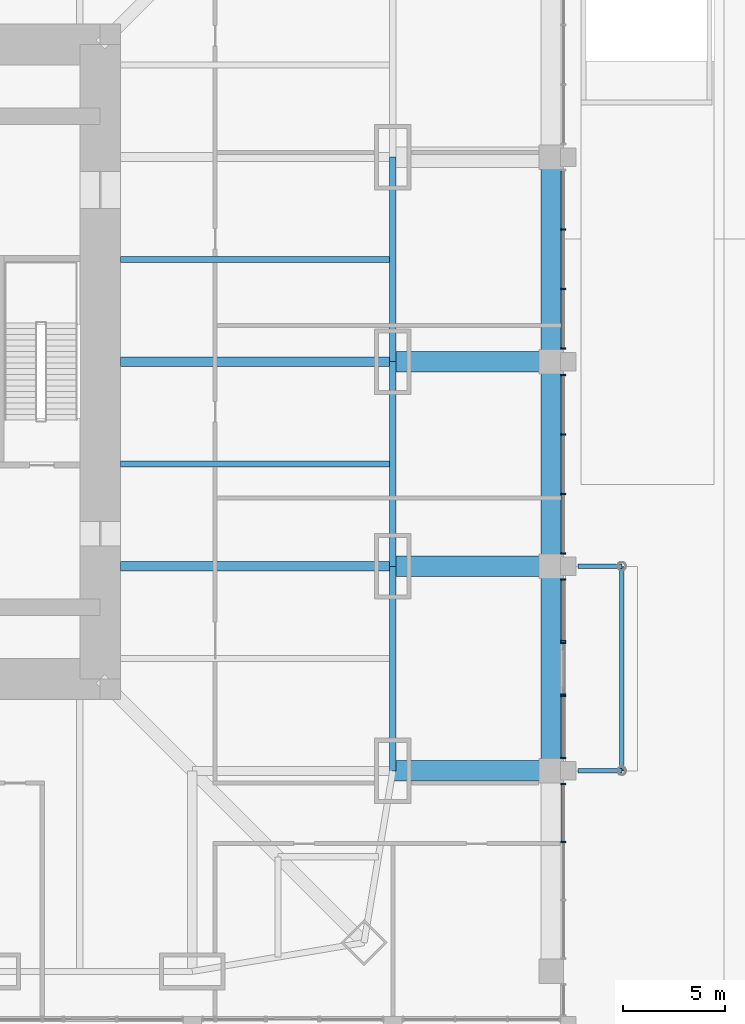
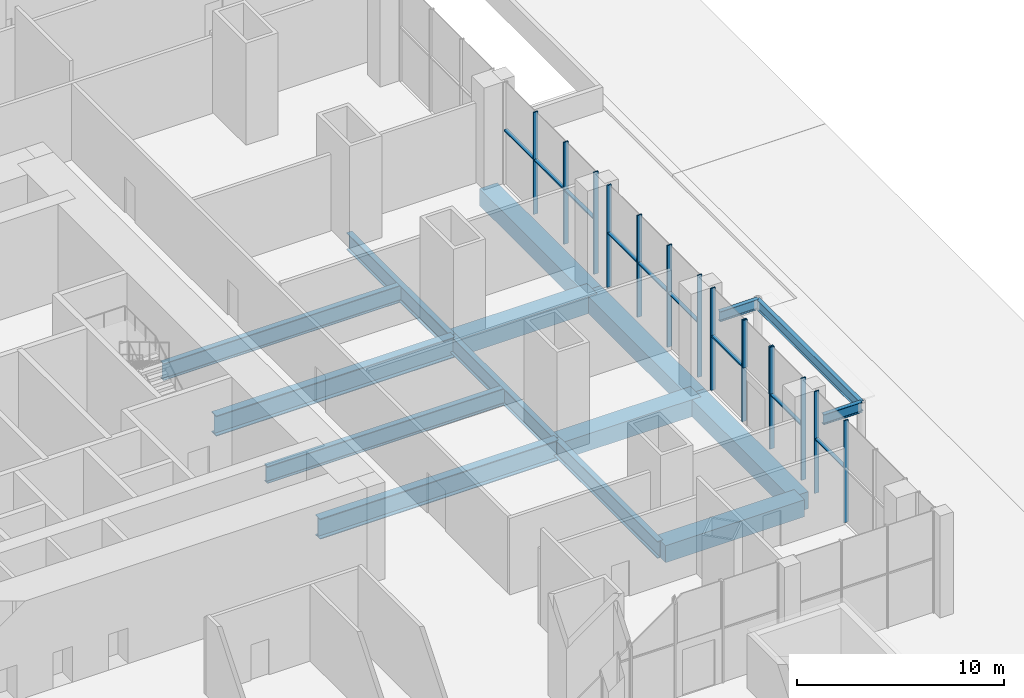
# One storey, part 10 of 31: 24 members, 16 beams, 6 elements without a shape of their own.
"""IFC4 building model written with IfcOpenShell, lengths in metres."""

from ifc_helpers import new_model, si_unit, direction, frame, origin, origin_2d, place, context, subcontext, project, spatial, rectangle, i_section, extrude, material, material_profile, profile_set, type_object, element, aggregate, save


model = new_model("IFC4")

# Units and contexts
model_context = context("Model", 3, precision=1e-05, world=origin(), true_north=direction((0.0, 1.0)))
body_context = subcontext(model_context, "Body", "Model", "MODEL_VIEW")
ifc_project = project(units=[si_unit("LENGTHUNIT", "METRE"), si_unit("AREAUNIT", "SQUARE_METRE"), si_unit("VOLUMEUNIT", "CUBIC_METRE"), si_unit("PLANEANGLEUNIT", "RADIAN"), si_unit("MASSUNIT", "GRAM", prefix="KILO")], contexts=[model_context])

# Site, building, storey
site_placement = place(None, origin())
site = spatial("IfcSite", under=ifc_project, at=site_placement, CompositionType="ELEMENT")
building_placement = place(site_placement, origin())
building = spatial("IfcBuilding", under=site, at=building_placement, Name="Khuree Lantern Residences", CompositionType="ELEMENT")
storey_placement = place(building_placement, origin())
storey = spatial("IfcBuildingStorey", under=building, at=storey_placement, Name="L00", CompositionType="ELEMENT", Elevation=0.0)

# Beams
ifc_material_1 = material(Name="Steel S355", Category="steel")
ifc_material_profile_1 = material_profile(ifc_material_1, i_section(OverallWidth=0.300048828125, OverallDepth=1.0, WebThickness=0.01904296875, FlangeThickness=0.035888671875, FilletRadius=0.030029296875, at=origin_2d()), Name="HE 1000 B")
ifc_profile_set_1 = profile_set([ifc_material_profile_1], Name="Steel S355")
beam_type_1 = type_object("IfcBeamType", Name="B-00 SECONDARY BEAM HE 1000 B", PredefinedType="BEAM", material=ifc_profile_set_1)
for number, where, z_axis, x_axis, name in (
    (1, (29.800048828125, 5.0, -0.800048828125), (-1.0, 0.0, 0.0), (0.0, -1.0, 0.0), "Secondary beam E3"),
    (2, (29.800048828125, -5.0, -0.800048828125), (-1.0, 0.0, 0.0), (0.0, -1.0, 0.0), "Secondary beam E4"),
):
    element("IfcBeam", number, at=place(storey_placement, frame(where, z_axis=z_axis, x_axis=x_axis)), inside=storey, type_object=beam_type_1, Name=name, PredefinedType="BEAM", context=body_context, shape_type="SweptSolid", body=[
        extrude(i_section(OverallWidth=0.300048828125, OverallDepth=1.0, WebThickness=0.01904296875, FlangeThickness=0.035888671875, FilletRadius=0.030029296875, at=origin_2d()), origin(), (0.0, 0.0, 1.0), 13.300048828125),
    ])
ifc_material_profile_2 = material_profile(ifc_material_1, i_section(OverallWidth=0.219970703125, OverallDepth=0.60009765625, WebThickness=0.011962890625, FlangeThickness=0.01904296875, FilletRadius=0.02392578125, at=origin_2d()), Name="IPE 600")
ifc_profile_set_2 = profile_set([ifc_material_profile_2], Name="Steel S355")
beam_type_2 = type_object("IfcBeamType", Name="CB1 CANOPY BEAM IPE 600", PredefinedType="BEAM", material=ifc_profile_set_2)
for number, where, z_axis, x_axis, name in (
    (3, (41.0, -20.0, 3.699951171875), (-1.0, 0.0, 0.0), (0.0, -1.0, 0.0), "EAST FACE CANOPY ARM 1"),
    (4, (41.0, -10.0, 3.699951171875), (-1.0, 0.0, 0.0), (0.0, -1.0, 0.0), "EAST FACE CANOPY ARM 2"),
):
    element("IfcBeam", number, at=place(storey_placement, frame(where, z_axis=z_axis, x_axis=x_axis)), inside=storey, type_object=beam_type_2, Name=name, PredefinedType="BEAM", context=body_context, shape_type="SweptSolid", body=[
        extrude(i_section(OverallWidth=0.219970703125, OverallDepth=0.60009765625, WebThickness=0.011962890625, FlangeThickness=0.01904296875, FilletRadius=0.02392578125, at=origin_2d()), origin(), (0.0, 0.0, 1.0), 2.14990234375),
    ])
beam_placement = place(storey_placement, frame((41.0, -20.0, 3.699951171875), z_axis=(0.0, 1.0, 0.0), x_axis=(-1.0, 0.0, 0.0)))
element("IfcBeam", 5, at=beam_placement, inside=storey, type_object=beam_type_2, Name="EAST FACE BAY 2 CANOPY FRONT BEAM", PredefinedType="BEAM", context=body_context, shape_type="SweptSolid", body=[
    extrude(i_section(OverallWidth=0.219970703125, OverallDepth=0.60009765625, WebThickness=0.011962890625, FlangeThickness=0.01904296875, FilletRadius=0.02392578125, at=origin_2d()), origin(), (0.0, 0.0, 1.0), 10.0),
])
ifc_material_profile_3 = material_profile(ifc_material_1, i_section(OverallWidth=0.300048828125, OverallDepth=1.0, WebThickness=0.01904296875, FlangeThickness=0.035888671875, FilletRadius=0.030029296875, at=origin_2d()), Name="HE 1000 B")
ifc_profile_set_3 = profile_set([ifc_material_profile_3], Name="Steel S355")
beam_type_3 = type_object("IfcBeamType", Name="E-00 SPANDREL BEAM HE 1000 B", PredefinedType="SPANDREL", material=ifc_profile_set_3)
for number, where, z_axis, x_axis, name in (
    (6, (29.800048828125, 10.0, -0.800048828125), (0.0, -1.0, 0.0), (1.0, 0.0, 0.0), "Spandrel beam E3"),
    (7, (29.800048828125, 0.0, -0.800048828125), (0.0, -1.0, 0.0), (1.0, 0.0, 0.0), "Spandrel beam E4"),
    (8, (29.800048828125, -10.0, -0.800048828125), (0.0, -1.0, 0.0), (1.0, 0.0, 0.0), "Spandrel beam E5"),
):
    element("IfcBeam", number, at=place(storey_placement, frame(where, z_axis=z_axis, x_axis=x_axis)), inside=storey, type_object=beam_type_3, Name=name, PredefinedType="SPANDREL", context=body_context, shape_type="SweptSolid", body=[
        extrude(i_section(OverallWidth=0.300048828125, OverallDepth=1.0, WebThickness=0.01904296875, FlangeThickness=0.035888671875, FilletRadius=0.030029296875, at=origin_2d()), origin(), (0.0, 0.0, 1.0), 10.0),
    ])
ifc_material_profile_4 = material_profile(ifc_material_1, i_section(OverallWidth=0.449951171875, OverallDepth=1.199951171875, WebThickness=0.02490234375, FlangeThickness=0.044921875, at=origin_2d()), Name="WELDED I 1200X450X25X45")
ifc_profile_set_4 = profile_set([ifc_material_profile_4], Name="Steel S355")
beam_type_4 = type_object("IfcBeamType", Name="G-00 GIRDER WELDED I 1200X450X25X45", PredefinedType="BEAM", material=ifc_profile_set_4)
for number, where, z_axis, x_axis, name in (
    (9, (29.800048828125, 0.0, -0.89990234375), (-1.0, 0.0, 0.0), (0.0, -1.0, 0.0), "Girder E3"),
    (10, (29.800048828125, -10.0, -0.89990234375), (-1.0, 0.0, 0.0), (0.0, -1.0, 0.0), "Girder E4"),
):
    element("IfcBeam", number, at=place(storey_placement, frame(where, z_axis=z_axis, x_axis=x_axis)), inside=storey, type_object=beam_type_4, Name=name, PredefinedType="BEAM", context=body_context, shape_type="SweptSolid", body=[
        extrude(i_section(OverallWidth=0.449951171875, OverallDepth=1.199951171875, WebThickness=0.02490234375, FlangeThickness=0.044921875, at=origin_2d()), origin(), (0.0, 0.0, 1.0), 13.300048828125),
    ])

# Curtain wall, members
ifc_material_2 = material(Name="Bronze anodised aluminium", Category="aluminium")
curtain_wall_type = type_object("IfcCurtainWallType", Name="CW-P PODIUM STOREFRONT CURTAIN WALL", PredefinedType="USERDEFINED", material=ifc_material_2)
curtain_wall_1_placement = place(storey_placement, origin())
curtain_wall_1 = element("IfcCurtainWall", 11, at=curtain_wall_1_placement, inside=storey, type_object=curtain_wall_type, Name="L00 EAST FACE BAY 1B STOREFRONT", ObjectType="Storefront curtain wall", PredefinedType="USERDEFINED")
ifc_material_profile_5 = material_profile(ifc_material_2, rectangle(XDim=0.074951171875, YDim=0.25, at=origin_2d()), Name="M5 75X250")
ifc_profile_set_5 = profile_set([ifc_material_profile_5], Name="Bronze anodised aluminium")
member_type_1 = type_object("IfcMemberType", Name="MULLION M5 STOREFRONT 75X250", PredefinedType="MULLION", material=ifc_profile_set_5)
member_1_placement = place(storey_placement, frame((38.125, -23.479248046875, 0.0), z_axis=(0.0, 0.0, 1.0), x_axis=(0.0, 1.0, 0.0)))
member_1 = element("IfcMember", 12, at=member_1_placement, type_object=member_type_1, Name="L00 EAST FACE BAY 1B MULLION 3", PredefinedType="MULLION", context=body_context, shape_type="SweptSolid", body=[
    extrude(rectangle(XDim=0.074951171875, YDim=0.25, at=origin_2d()), origin(), (0.0, 0.0, 1.0), 6.0),
])
member_2_placement = place(storey_placement, frame((38.125, -20.637451171875, 0.0), z_axis=(0.0, 0.0, 1.0), x_axis=(0.0, 1.0, 0.0)))
member_2 = element("IfcMember", 13, at=member_2_placement, type_object=member_type_1, Name="L00 EAST FACE BAY 1B MULLION 4", PredefinedType="MULLION", context=body_context, shape_type="SweptSolid", body=[
    extrude(rectangle(XDim=0.074951171875, YDim=0.25, at=origin_2d()), origin(), (0.0, 0.0, 1.0), 6.0),
])

curtain_wall_2_placement = place(storey_placement, origin())
curtain_wall_2 = element("IfcCurtainWall", 14, at=curtain_wall_2_placement, inside=storey, type_object=curtain_wall_type, Name="L00 EAST FACE BAY 2 LEFT STOREFRONT", ObjectType="Storefront curtain wall", PredefinedType="USERDEFINED")
member_3_placement = place(storey_placement, frame((38.125, -19.362548828125, 0.0), z_axis=(0.0, 0.0, 1.0), x_axis=(0.0, 1.0, 0.0)))
member_3 = element("IfcMember", 15, at=member_3_placement, type_object=member_type_1, Name="L00 EAST FACE BAY 2 LEFT MULLION 1", PredefinedType="MULLION", context=body_context, shape_type="SweptSolid", body=[
    extrude(rectangle(XDim=0.074951171875, YDim=0.25, at=origin_2d()), origin(), (0.0, 0.0, 1.0), 6.0),
])
member_4_placement = place(storey_placement, frame((38.125, -16.33740234375, 0.0), z_axis=(0.0, 0.0, 1.0), x_axis=(0.0, 1.0, 0.0)))
member_4 = element("IfcMember", 16, at=member_4_placement, type_object=member_type_1, Name="L00 EAST FACE BAY 2 LEFT MULLION 2", PredefinedType="MULLION", context=body_context, shape_type="SweptSolid", body=[
    extrude(rectangle(XDim=0.074951171875, YDim=0.25, at=origin_2d()), origin(), (0.0, 0.0, 1.0), 6.0),
])

curtain_wall_3_placement = place(storey_placement, origin())
curtain_wall_3 = element("IfcCurtainWall", 17, at=curtain_wall_3_placement, inside=storey, type_object=curtain_wall_type, Name="L00 EAST FACE BAY 2 RIGHT STOREFRONT", ObjectType="Storefront curtain wall", PredefinedType="USERDEFINED")
member_5_placement = place(storey_placement, frame((38.125, -13.66259765625, 0.0), z_axis=(0.0, 0.0, 1.0), x_axis=(0.0, 1.0, 0.0)))
member_5 = element("IfcMember", 18, at=member_5_placement, type_object=member_type_1, Name="L00 EAST FACE BAY 2 RIGHT MULLION 1", PredefinedType="MULLION", context=body_context, shape_type="SweptSolid", body=[
    extrude(rectangle(XDim=0.074951171875, YDim=0.25, at=origin_2d()), origin(), (0.0, 0.0, 1.0), 6.0),
])
member_6_placement = place(storey_placement, frame((38.125, -10.637451171875, 0.0), z_axis=(0.0, 0.0, 1.0), x_axis=(0.0, 1.0, 0.0)))
member_6 = element("IfcMember", 19, at=member_6_placement, type_object=member_type_1, Name="L00 EAST FACE BAY 2 RIGHT MULLION 2", PredefinedType="MULLION", context=body_context, shape_type="SweptSolid", body=[
    extrude(rectangle(XDim=0.074951171875, YDim=0.25, at=origin_2d()), origin(), (0.0, 0.0, 1.0), 6.0),
])

curtain_wall_4_placement = place(storey_placement, origin())
curtain_wall_4 = element("IfcCurtainWall", 20, at=curtain_wall_4_placement, inside=storey, type_object=curtain_wall_type, Name="L00 EAST FACE BAY 2 CLERESTORY STOREFRONT", ObjectType="Storefront curtain wall", PredefinedType="USERDEFINED")
member_7_placement = place(storey_placement, frame((38.125, -16.262451171875, 3.199951171875), z_axis=(0.0, 0.0, 1.0), x_axis=(0.0, 1.0, 0.0)))
member_7 = element("IfcMember", 21, at=member_7_placement, type_object=member_type_1, Name="L00 EAST FACE BAY 2 CLERESTORY MULLION 1", PredefinedType="MULLION", context=body_context, shape_type="SweptSolid", body=[
    extrude(rectangle(XDim=0.074951171875, YDim=0.25, at=origin_2d()), origin(), (0.0, 0.0, 1.0), 2.800048828125),
])
member_8_placement = place(storey_placement, frame((38.125, -13.737548828125, 3.199951171875), z_axis=(0.0, 0.0, 1.0), x_axis=(0.0, 1.0, 0.0)))
member_8 = element("IfcMember", 22, at=member_8_placement, type_object=member_type_1, Name="L00 EAST FACE BAY 2 CLERESTORY MULLION 2", PredefinedType="MULLION", context=body_context, shape_type="SweptSolid", body=[
    extrude(rectangle(XDim=0.074951171875, YDim=0.25, at=origin_2d()), origin(), (0.0, 0.0, 1.0), 2.800048828125),
])
aggregate(curtain_wall_4, [member_7, member_8])

curtain_wall_5_placement = place(storey_placement, origin())
curtain_wall_5 = element("IfcCurtainWall", 23, at=curtain_wall_5_placement, inside=storey, type_object=curtain_wall_type, Name="L00 EAST FACE BAY 3 STOREFRONT", ObjectType="Storefront curtain wall", PredefinedType="USERDEFINED")
member_9_placement = place(storey_placement, frame((38.125, -9.362548828125, 0.0), z_axis=(0.0, 0.0, 1.0), x_axis=(0.0, 1.0, 0.0)))
member_9 = element("IfcMember", 24, at=member_9_placement, type_object=member_type_1, Name="L00 EAST FACE BAY 3 MULLION 1", PredefinedType="MULLION", context=body_context, shape_type="SweptSolid", body=[
    extrude(rectangle(XDim=0.074951171875, YDim=0.25, at=origin_2d()), origin(), (0.0, 0.0, 1.0), 6.0),
])
member_10_placement = place(storey_placement, frame((38.125, -6.4541015625, 0.0), z_axis=(0.0, 0.0, 1.0), x_axis=(0.0, 1.0, 0.0)))
member_10 = element("IfcMember", 25, at=member_10_placement, type_object=member_type_1, Name="L00 EAST FACE BAY 3 MULLION 2", PredefinedType="MULLION", context=body_context, shape_type="SweptSolid", body=[
    extrude(rectangle(XDim=0.074951171875, YDim=0.25, at=origin_2d()), origin(), (0.0, 0.0, 1.0), 6.0),
])
member_11_placement = place(storey_placement, frame((38.125, -3.5458984375, 0.0), z_axis=(0.0, 0.0, 1.0), x_axis=(0.0, 1.0, 0.0)))
member_11 = element("IfcMember", 26, at=member_11_placement, type_object=member_type_1, Name="L00 EAST FACE BAY 3 MULLION 3", PredefinedType="MULLION", context=body_context, shape_type="SweptSolid", body=[
    extrude(rectangle(XDim=0.074951171875, YDim=0.25, at=origin_2d()), origin(), (0.0, 0.0, 1.0), 6.0),
])
member_12_placement = place(storey_placement, frame((38.125, -0.637451171875, 0.0), z_axis=(0.0, 0.0, 1.0), x_axis=(0.0, 1.0, 0.0)))
member_12 = element("IfcMember", 27, at=member_12_placement, type_object=member_type_1, Name="L00 EAST FACE BAY 3 MULLION 4", PredefinedType="MULLION", context=body_context, shape_type="SweptSolid", body=[
    extrude(rectangle(XDim=0.074951171875, YDim=0.25, at=origin_2d()), origin(), (0.0, 0.0, 1.0), 6.0),
])

curtain_wall_6_placement = place(storey_placement, origin())
curtain_wall_6 = element("IfcCurtainWall", 28, at=curtain_wall_6_placement, inside=storey, type_object=curtain_wall_type, Name="L00 EAST FACE BAY 4 STOREFRONT", ObjectType="Storefront curtain wall", PredefinedType="USERDEFINED")
member_13_placement = place(storey_placement, frame((38.125, 0.637451171875, 0.0), z_axis=(0.0, 0.0, 1.0), x_axis=(0.0, 1.0, 0.0)))
member_13 = element("IfcMember", 29, at=member_13_placement, type_object=member_type_1, Name="L00 EAST FACE BAY 4 MULLION 1", PredefinedType="MULLION", context=body_context, shape_type="SweptSolid", body=[
    extrude(rectangle(XDim=0.074951171875, YDim=0.25, at=origin_2d()), origin(), (0.0, 0.0, 1.0), 6.0),
])
member_14_placement = place(storey_placement, frame((38.125, 3.5458984375, 0.0), z_axis=(0.0, 0.0, 1.0), x_axis=(0.0, 1.0, 0.0)))
member_14 = element("IfcMember", 30, at=member_14_placement, type_object=member_type_1, Name="L00 EAST FACE BAY 4 MULLION 2", PredefinedType="MULLION", context=body_context, shape_type="SweptSolid", body=[
    extrude(rectangle(XDim=0.074951171875, YDim=0.25, at=origin_2d()), origin(), (0.0, 0.0, 1.0), 6.0),
])
member_15_placement = place(storey_placement, frame((38.125, 6.4541015625, 0.0), z_axis=(0.0, 0.0, 1.0), x_axis=(0.0, 1.0, 0.0)))
member_15 = element("IfcMember", 31, at=member_15_placement, type_object=member_type_1, Name="L00 EAST FACE BAY 4 MULLION 3", PredefinedType="MULLION", context=body_context, shape_type="SweptSolid", body=[
    extrude(rectangle(XDim=0.074951171875, YDim=0.25, at=origin_2d()), origin(), (0.0, 0.0, 1.0), 6.0),
])

# Beams
ifc_material_3 = material(Name="Concrete C40/50", Category="concrete")
ifc_material_profile_6 = material_profile(ifc_material_3, rectangle(XDim=1.0, YDim=1.0, at=origin_2d()), Name="RC 1000X1000")
ifc_profile_set_6 = profile_set([ifc_material_profile_6], Name="Concrete C40/50")
beam_type_5 = type_object("IfcBeamType", Name="RB3 PODIUM BEAM RC 1000X1000", PredefinedType="BEAM", material=ifc_profile_set_6)
for number, where, z_axis, x_axis, name in (
    (32, (29.800048828125, -20.0, -0.800048828125), (1.0, 0.0, 0.0), (0.0, 1.0, 0.0), "Podium beam RB-21"),
    (33, (29.800048828125, -10.0, -0.800048828125), (1.0, 0.0, 0.0), (0.0, 1.0, 0.0), "Podium beam RB-25"),
    (34, (29.800048828125, 0.0, -0.800048828125), (1.0, 0.0, 0.0), (0.0, 1.0, 0.0), "Podium beam RB-29"),
):
    element("IfcBeam", number, at=place(storey_placement, frame(where, z_axis=z_axis, x_axis=x_axis)), inside=storey, type_object=beam_type_5, Name=name, PredefinedType="BEAM", context=body_context, shape_type="SweptSolid", body=[
        extrude(rectangle(XDim=1.0, YDim=1.0, at=origin_2d()), origin(), (0.0, 0.0, 1.0), 7.75),
    ])
for number, where, z_axis, x_axis, name in (
    (35, (37.550048828125, -20.0, -0.800048828125), (0.0, 1.0, 0.0), (-1.0, 0.0, 0.0), "Podium beam RB-105"),
    (36, (37.550048828125, -10.0, -0.800048828125), (0.0, 1.0, 0.0), (-1.0, 0.0, 0.0), "Podium beam RB-106"),
    (37, (37.550048828125, 0.0, -0.800048828125), (0.0, 1.0, 0.0), (-1.0, 0.0, 0.0), "Podium beam RB-107"),
):
    element("IfcBeam", number, at=place(storey_placement, frame(where, z_axis=z_axis, x_axis=x_axis)), inside=storey, type_object=beam_type_5, Name=name, PredefinedType="BEAM", context=body_context, shape_type="SweptSolid", body=[
        extrude(rectangle(XDim=1.0, YDim=1.0, at=origin_2d()), origin(), (0.0, 0.0, 1.0), 10.0),
    ])

# Member
ifc_material_profile_7 = material_profile(ifc_material_2, rectangle(XDim=0.199951171875, YDim=0.074951171875, at=origin_2d()), Name="T5 200X75")
ifc_profile_set_7 = profile_set([ifc_material_profile_7], Name="Bronze anodised aluminium")
member_type_2 = type_object("IfcMemberType", Name="TRANSOM T5 STOREFRONT 200X75", PredefinedType="USERDEFINED", material=ifc_profile_set_7)
member_16_placement = place(storey_placement, frame((38.1201171875, -23.441650390625, 3.199951171875), z_axis=(0.0, 1.0, 0.0), x_axis=(-1.0, 0.0, 0.0)))
member_16 = element("IfcMember", 38, at=member_16_placement, type_object=member_type_2, Name="L00 EAST FACE BAY 1B TRANSOM 3", ObjectType="Transom", PredefinedType="USERDEFINED", context=body_context, shape_type="SweptSolid", body=[
    extrude(rectangle(XDim=0.199951171875, YDim=0.074951171875, at=origin_2d()), origin(), (0.0, 0.0, 1.0), 2.7666015625),
])

aggregate(curtain_wall_1, [member_1, member_2, member_16])

member_17_placement = place(storey_placement, frame((38.1201171875, -19.324951171875, 3.199951171875), z_axis=(0.0, 1.0, 0.0), x_axis=(-1.0, 0.0, 0.0)))
member_17 = element("IfcMember", 39, at=member_17_placement, type_object=member_type_2, Name="L00 EAST FACE BAY 2 LEFT TRANSOM 1", ObjectType="Transom", PredefinedType="USERDEFINED", context=body_context, shape_type="SweptSolid", body=[
    extrude(rectangle(XDim=0.199951171875, YDim=0.074951171875, at=origin_2d()), origin(), (0.0, 0.0, 1.0), 2.949951171875),
])

aggregate(curtain_wall_2, [member_3, member_4, member_17])

member_18_placement = place(storey_placement, frame((38.1201171875, -13.625, 3.199951171875), z_axis=(0.0, 1.0, 0.0), x_axis=(-1.0, 0.0, 0.0)))
member_18 = element("IfcMember", 40, at=member_18_placement, type_object=member_type_2, Name="L00 EAST FACE BAY 2 RIGHT TRANSOM 1", ObjectType="Transom", PredefinedType="USERDEFINED", context=body_context, shape_type="SweptSolid", body=[
    extrude(rectangle(XDim=0.199951171875, YDim=0.074951171875, at=origin_2d()), origin(), (0.0, 0.0, 1.0), 2.949951171875),
])

aggregate(curtain_wall_3, [member_5, member_6, member_18])

member_19_placement = place(storey_placement, frame((38.1201171875, -9.324951171875, 3.199951171875), z_axis=(0.0, 1.0, 0.0), x_axis=(-1.0, 0.0, 0.0)))
member_19 = element("IfcMember", 41, at=member_19_placement, type_object=member_type_2, Name="L00 EAST FACE BAY 3 TRANSOM 1", ObjectType="Transom", PredefinedType="USERDEFINED", context=body_context, shape_type="SweptSolid", body=[
    extrude(rectangle(XDim=0.199951171875, YDim=0.074951171875, at=origin_2d()), origin(), (0.0, 0.0, 1.0), 2.833251953125),
])

member_20_placement = place(storey_placement, frame((38.1201171875, -6.416748046875, 3.199951171875), z_axis=(0.0, 1.0, 0.0), x_axis=(-1.0, 0.0, 0.0)))
member_20 = element("IfcMember", 42, at=member_20_placement, type_object=member_type_2, Name="L00 EAST FACE BAY 3 TRANSOM 2", ObjectType="Transom", PredefinedType="USERDEFINED", context=body_context, shape_type="SweptSolid", body=[
    extrude(rectangle(XDim=0.199951171875, YDim=0.074951171875, at=origin_2d()), origin(), (0.0, 0.0, 1.0), 2.83349609375),
])

member_21_placement = place(storey_placement, frame((38.1201171875, -3.50830078125, 3.199951171875), z_axis=(0.0, 1.0, 0.0), x_axis=(-1.0, 0.0, 0.0)))
member_21 = element("IfcMember", 43, at=member_21_placement, type_object=member_type_2, Name="L00 EAST FACE BAY 3 TRANSOM 3", ObjectType="Transom", PredefinedType="USERDEFINED", context=body_context, shape_type="SweptSolid", body=[
    extrude(rectangle(XDim=0.199951171875, YDim=0.074951171875, at=origin_2d()), origin(), (0.0, 0.0, 1.0), 2.833251953125),
])

aggregate(curtain_wall_5, [member_9, member_10, member_11, member_12, member_19, member_20, member_21])

member_22_placement = place(storey_placement, frame((38.1201171875, 0.675048828125, 3.199951171875), z_axis=(0.0, 1.0, 0.0), x_axis=(-1.0, 0.0, 0.0)))
member_22 = element("IfcMember", 44, at=member_22_placement, type_object=member_type_2, Name="L00 EAST FACE BAY 4 TRANSOM 1", ObjectType="Transom", PredefinedType="USERDEFINED", context=body_context, shape_type="SweptSolid", body=[
    extrude(rectangle(XDim=0.199951171875, YDim=0.074951171875, at=origin_2d()), origin(), (0.0, 0.0, 1.0), 2.833251953125),
])

member_23_placement = place(storey_placement, frame((38.1201171875, 3.583251953125, 3.199951171875), z_axis=(0.0, 1.0, 0.0), x_axis=(-1.0, 0.0, 0.0)))
member_23 = element("IfcMember", 45, at=member_23_placement, type_object=member_type_2, Name="L00 EAST FACE BAY 4 TRANSOM 2", ObjectType="Transom", PredefinedType="USERDEFINED", context=body_context, shape_type="SweptSolid", body=[
    extrude(rectangle(XDim=0.199951171875, YDim=0.074951171875, at=origin_2d()), origin(), (0.0, 0.0, 1.0), 2.83349609375),
])

member_24_placement = place(storey_placement, frame((38.1201171875, 6.49169921875, 3.199951171875), z_axis=(0.0, 1.0, 0.0), x_axis=(-1.0, 0.0, 0.0)))
member_24 = element("IfcMember", 46, at=member_24_placement, type_object=member_type_2, Name="L00 EAST FACE BAY 4 TRANSOM 3", ObjectType="Transom", PredefinedType="USERDEFINED", context=body_context, shape_type="SweptSolid", body=[
    extrude(rectangle(XDim=0.199951171875, YDim=0.074951171875, at=origin_2d()), origin(), (0.0, 0.0, 1.0), 2.833251953125),
])

aggregate(curtain_wall_6, [member_13, member_14, member_15, member_22, member_23, member_24])

save(model, "model.ifc")
